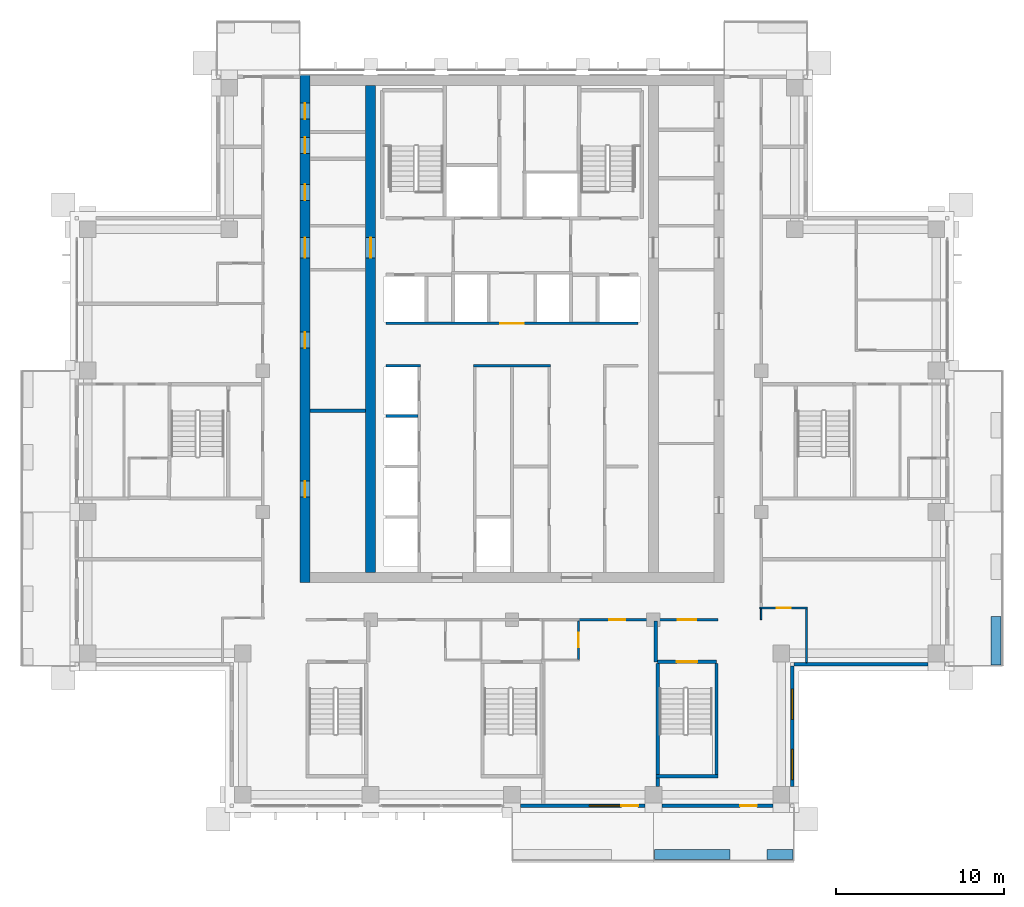
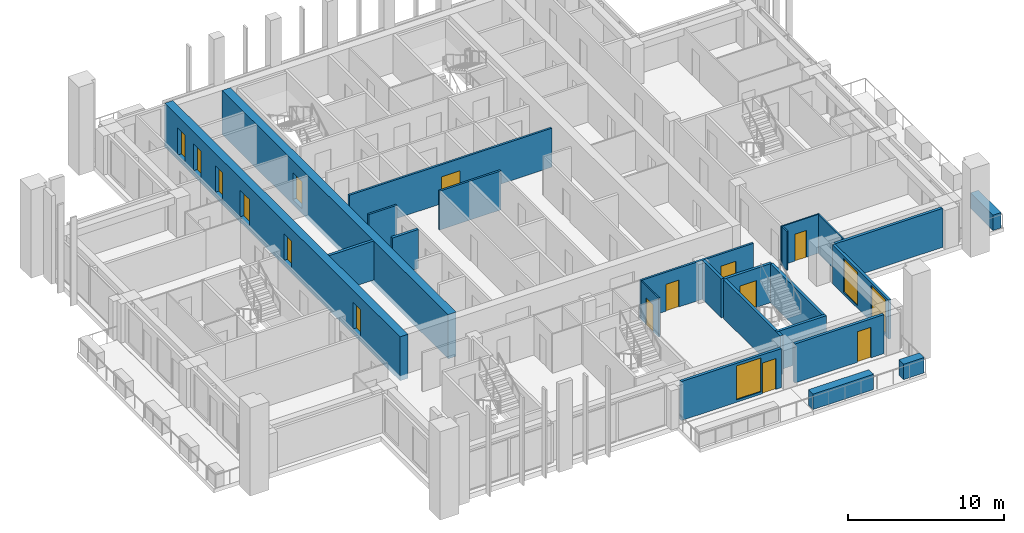
# One storey, part 10 of 18: 24 walls, 15 doors, 3 windows, 18 openings.
"""IFC4 building model written with IfcOpenShell, lengths in metres."""

from ifc_helpers import new_model, si_unit, direction, frame, frame_2d, origin, place, context, subcontext, project, spatial, rectangle, extrude, material, layer, layer_set, type_object, element, fill, save


model = new_model("IFC4")

# Units and contexts
model_context = context("Model", 3, precision=1e-05, world=origin(), true_north=direction((0.0, 1.0)))
body_context = subcontext(model_context, "Body", "Model", "MODEL_VIEW")
ifc_project = project(units=[si_unit("LENGTHUNIT", "METRE"), si_unit("AREAUNIT", "SQUARE_METRE"), si_unit("VOLUMEUNIT", "CUBIC_METRE"), si_unit("PLANEANGLEUNIT", "RADIAN"), si_unit("MASSUNIT", "GRAM", prefix="KILO")], contexts=[model_context])

# Site, building, storey
site_placement = place(None, origin())
site = spatial("IfcSite", under=ifc_project, at=site_placement, CompositionType="ELEMENT")
building_placement = place(site_placement, origin())
building = spatial("IfcBuilding", under=site, at=building_placement, Name="Vermilion Ogive Tower", CompositionType="ELEMENT")
storey_placement = place(building_placement, frame((0.0, 0.0, 199.699951171875)))
storey = spatial("IfcBuildingStorey", under=building, at=storey_placement, Name="L52", CompositionType="ELEMENT", Elevation=199.699951171875)

# Wall, openings, doors
ifc_material_1 = material(Name="Concrete B60", Category="concrete")
ifc_layer_1 = layer(ifc_material_1, 0.60009765625)
ifc_layer_set_1 = layer_set([ifc_layer_1], Name="Core wall 600 B60")
wall_type_1 = type_object("IfcWallType", Name="Core wall 600 B60", PredefinedType="SHEAR", material=ifc_layer_set_1)
wall_1_placement = place(storey_placement, frame((-12.300048828125, -8.39990234375, -0.39990234375), z_axis=(0.0, 0.0, 1.0), x_axis=(0.0, 1.0, 0.0)))
wall_1 = element("IfcWall", 1, at=wall_1_placement, inside=storey, type_object=wall_type_1, Name="L52-CORE-W", PredefinedType="SHEAR", context=body_context, shape_type="SweptSolid", body=[
    extrude(rectangle(XDim=30.14990234375, YDim=0.60009765625, at=frame_2d((15.074951171875, 0.0))), origin(), (0.0, 0.0, 1.0), 3.449951171875),
])
opening_1_placement = place(wall_1_placement, frame((5.0830078125, 0.0, 0.39990234375)))
opening_1 = element("IfcOpeningElement", 2, at=opening_1_placement, cuts=wall_1, Name="Opening DAD084", PredefinedType="OPENING", context=body_context, shape_type="SweptSolid", body=[
    extrude(rectangle(XDim=0.949951171875, YDim=2.10009765625, at=frame_2d((0.47509765625, 1.050048828125))), frame((0.0, 0.31005859375, 0.0), z_axis=(0.0, -1.0, 0.0), x_axis=(1.0, 0.0, 0.0)), (0.0, 0.0, 1.0), 0.6201171875),
])
opening_2_placement = place(wall_1_placement, frame((13.932861328125, 0.0, 0.39990234375)))
opening_2 = element("IfcOpeningElement", 3, at=opening_2_placement, cuts=wall_1, Name="Opening DAD085", PredefinedType="OPENING", context=body_context, shape_type="SweptSolid", body=[
    extrude(rectangle(XDim=0.949951171875, YDim=2.10009765625, at=frame_2d((0.47509765625, 1.050048828125))), frame((0.0, 0.31005859375, 0.0), z_axis=(0.0, -1.0, 0.0), x_axis=(1.0, 0.0, 0.0)), (0.0, 0.0, 1.0), 0.6201171875),
])
opening_3_placement = place(wall_1_placement, frame((22.718994140625, 0.0, 0.39990234375)))
opening_3 = element("IfcOpeningElement", 4, at=opening_3_placement, cuts=wall_1, Name="Opening DAD086", PredefinedType="OPENING", context=body_context, shape_type="SweptSolid", body=[
    extrude(rectangle(XDim=0.949951171875, YDim=2.10009765625, at=frame_2d((0.47509765625, 1.050048828125))), frame((0.0, 0.31005859375, 0.0), z_axis=(0.0, -1.0, 0.0), x_axis=(1.0, 0.0, 0.0)), (0.0, 0.0, 1.0), 0.6201171875),
])
opening_4_placement = place(wall_1_placement, frame((25.505615234375, 0.0, 0.39990234375)))
opening_4 = element("IfcOpeningElement", 5, at=opening_4_placement, cuts=wall_1, Name="Opening DAD087", PredefinedType="OPENING", context=body_context, shape_type="SweptSolid", body=[
    extrude(rectangle(XDim=0.949951171875, YDim=2.10009765625, at=frame_2d((0.47509765625, 1.050048828125))), frame((0.0, 0.31005859375, 0.0), z_axis=(0.0, -1.0, 0.0), x_axis=(1.0, 0.0, 0.0)), (0.0, 0.0, 1.0), 0.6201171875),
])
opening_5_placement = place(wall_1_placement, frame((27.53662109375, 0.0, 0.39990234375)))
opening_5 = element("IfcOpeningElement", 6, at=opening_5_placement, cuts=wall_1, Name="Opening DAD088", PredefinedType="OPENING", context=body_context, shape_type="SweptSolid", body=[
    extrude(rectangle(XDim=0.949951171875, YDim=2.10009765625, at=frame_2d((0.47509765625, 1.050048828125))), frame((0.0, 0.31005859375, 0.0), z_axis=(0.0, -1.0, 0.0), x_axis=(1.0, 0.0, 0.0)), (0.0, 0.0, 1.0), 0.6201171875),
])
opening_6_placement = place(wall_1_placement, frame((19.300048828125, 0.0, 0.39990234375)))
opening_6 = element("IfcOpeningElement", 7, at=opening_6_placement, cuts=wall_1, Name="Opening DAM021", PredefinedType="OPENING", context=body_context, shape_type="SweptSolid", body=[
    extrude(rectangle(XDim=1.199951171875, YDim=2.10009765625, at=frame_2d((0.60009765625, 1.050048828125))), frame((0.0, 0.31005859375, 0.0), z_axis=(0.0, -1.0, 0.0), x_axis=(1.0, 0.0, 0.0)), (0.0, 0.0, 1.0), 0.6201171875),
])
ifc_material_2 = material(Name="Timber door leaf", Category="wood")
door_type_1 = type_object("IfcDoorType", Name="Link door 1200 x 2100 FD60S", OperationType="SINGLE_SWING_LEFT", PredefinedType="DOOR", material=ifc_material_2)
door_1_placement = place(opening_6_placement, origin())
door_1 = element("IfcDoor", 8, at=door_1_placement, inside=storey, type_object=door_type_1, Name="L52-CKW-XL", OperationType="SINGLE_SWING_LEFT", OverallHeight=2.10009765625, OverallWidth=1.199951171875, PredefinedType="DOOR", context=body_context, shape_type="SweptSolid", body=[
    extrude(rectangle(XDim=1.199951171875, YDim=2.10009765625, at=frame_2d((0.60009765625, 1.050048828125))), frame((0.0, 0.02490234375, 0.0), z_axis=(0.0, -1.0, 0.0), x_axis=(1.0, 0.0, 0.0)), (0.0, 0.0, 1.0), 0.050048828125),
])
fill(opening_6, door_1)
ifc_material_3 = material(Name="Timber door leaf", Category="wood")
door_type_2 = type_object("IfcDoorType", Name="Service door 950 x 2100 FD60", OperationType="SINGLE_SWING_LEFT", PredefinedType="DOOR", material=ifc_material_3)
door_2_placement = place(opening_1_placement, origin())
door_2 = element("IfcDoor", 9, at=door_2_placement, inside=storey, type_object=door_type_2, Name="L52-CKW-XR0", OperationType="SINGLE_SWING_LEFT", OverallHeight=2.10009765625, OverallWidth=0.949951171875, PredefinedType="DOOR", context=body_context, shape_type="SweptSolid", body=[
    extrude(rectangle(XDim=0.949951171875, YDim=2.10009765625, at=frame_2d((0.47509765625, 1.050048828125))), frame((0.0, 0.02490234375, 0.0), z_axis=(0.0, -1.0, 0.0), x_axis=(1.0, 0.0, 0.0)), (0.0, 0.0, 1.0), 0.050048828125),
])
fill(opening_1, door_2)
door_3_placement = place(opening_2_placement, origin())
door_3 = element("IfcDoor", 10, at=door_3_placement, inside=storey, type_object=door_type_2, Name="L52-CKW-XR1", OperationType="SINGLE_SWING_LEFT", OverallHeight=2.10009765625, OverallWidth=0.949951171875, PredefinedType="DOOR", context=body_context, shape_type="SweptSolid", body=[
    extrude(rectangle(XDim=0.949951171875, YDim=2.10009765625, at=frame_2d((0.47509765625, 1.050048828125))), frame((0.0, 0.02490234375, 0.0), z_axis=(0.0, -1.0, 0.0), x_axis=(1.0, 0.0, 0.0)), (0.0, 0.0, 1.0), 0.050048828125),
])
fill(opening_2, door_3)
door_4_placement = place(opening_3_placement, origin())
door_4 = element("IfcDoor", 11, at=door_4_placement, inside=storey, type_object=door_type_2, Name="L52-CKW-XR2", OperationType="SINGLE_SWING_LEFT", OverallHeight=2.10009765625, OverallWidth=0.949951171875, PredefinedType="DOOR", context=body_context, shape_type="SweptSolid", body=[
    extrude(rectangle(XDim=0.949951171875, YDim=2.10009765625, at=frame_2d((0.47509765625, 1.050048828125))), frame((0.0, 0.02490234375, 0.0), z_axis=(0.0, -1.0, 0.0), x_axis=(1.0, 0.0, 0.0)), (0.0, 0.0, 1.0), 0.050048828125),
])
fill(opening_3, door_4)
door_5_placement = place(opening_4_placement, origin())
door_5 = element("IfcDoor", 12, at=door_5_placement, inside=storey, type_object=door_type_2, Name="L52-CKW-XR3", OperationType="SINGLE_SWING_LEFT", OverallHeight=2.10009765625, OverallWidth=0.949951171875, PredefinedType="DOOR", context=body_context, shape_type="SweptSolid", body=[
    extrude(rectangle(XDim=0.949951171875, YDim=2.10009765625, at=frame_2d((0.47509765625, 1.050048828125))), frame((0.0, 0.02490234375, 0.0), z_axis=(0.0, -1.0, 0.0), x_axis=(1.0, 0.0, 0.0)), (0.0, 0.0, 1.0), 0.050048828125),
])
fill(opening_4, door_5)
door_6_placement = place(opening_5_placement, origin())
door_6 = element("IfcDoor", 13, at=door_6_placement, inside=storey, type_object=door_type_2, Name="L52-CKW-XR4", OperationType="SINGLE_SWING_LEFT", OverallHeight=2.10009765625, OverallWidth=0.949951171875, PredefinedType="DOOR", context=body_context, shape_type="SweptSolid", body=[
    extrude(rectangle(XDim=0.949951171875, YDim=2.10009765625, at=frame_2d((0.47509765625, 1.050048828125))), frame((0.0, 0.02490234375, 0.0), z_axis=(0.0, -1.0, 0.0), x_axis=(1.0, 0.0, 0.0)), (0.0, 0.0, 1.0), 0.050048828125),
])
fill(opening_5, door_6)

# Wall, opening, door
wall_2_placement = place(storey_placement, frame((-8.39990234375, -7.800048828125, -0.39990234375), z_axis=(0.0, 0.0, 1.0), x_axis=(0.0, 1.0, 0.0)))
wall_2 = element("IfcWall", 14, at=wall_2_placement, inside=storey, type_object=wall_type_1, Name="L52-CORE-WEB1", PredefinedType="SHEAR", context=body_context, shape_type="SweptSolid", body=[
    extrude(rectangle(XDim=28.949951171875, YDim=0.60009765625, at=frame_2d((14.47509765625, 0.0))), origin(), (0.0, 0.0, 1.0), 3.449951171875),
])
opening_7_placement = place(wall_2_placement, frame((18.699951171875, 0.0, 0.39990234375)))
opening_7 = element("IfcOpeningElement", 15, at=opening_7_placement, cuts=wall_2, Name="Opening DAP016", PredefinedType="OPENING", context=body_context, shape_type="SweptSolid", body=[
    extrude(rectangle(XDim=1.199951171875, YDim=2.10009765625, at=frame_2d((0.60009765625, 1.050048828125))), frame((0.0, 0.31005859375, 0.0), z_axis=(0.0, -1.0, 0.0), x_axis=(1.0, 0.0, 0.0)), (0.0, 0.0, 1.0), 0.6201171875),
])
door_7_placement = place(opening_7_placement, origin())
door_7 = element("IfcDoor", 16, at=door_7_placement, inside=storey, type_object=door_type_1, Name="L52-CKW-XW", OperationType="SINGLE_SWING_LEFT", OverallHeight=2.10009765625, OverallWidth=1.199951171875, PredefinedType="DOOR", context=body_context, shape_type="SweptSolid", body=[
    extrude(rectangle(XDim=1.199951171875, YDim=2.10009765625, at=frame_2d((0.60009765625, 1.050048828125))), frame((0.0, 0.02490234375, 0.0), z_axis=(0.0, -1.0, 0.0), x_axis=(1.0, 0.0, 0.0)), (0.0, 0.0, 1.0), 0.050048828125),
])
fill(opening_7, door_7)

ifc_material_4 = material(Name="Gypsum board partition on steel studs", Category="steel")
ifc_layer_2 = layer(ifc_material_4, 0.10009765625)
ifc_layer_set_2 = layer_set([ifc_layer_2], Name="Partition 100 bath")
wall_type_2 = type_object("IfcWallType", Name="Partition 100 bath", PredefinedType="PARTITIONING", material=ifc_layer_set_2)
wall_3_placement = place(storey_placement, frame((14.72509765625, -9.89990234375, 0.0), z_axis=(0.0, 0.0, 1.0), x_axis=(1.0, 0.0, 0.0)))
wall_3 = element("IfcWall", 17, at=wall_3_placement, inside=storey, type_object=wall_type_2, Name="L52-W-W013", PredefinedType="PARTITIONING", context=body_context, shape_type="SweptSolid", body=[
    extrude(rectangle(XDim=2.824951171875, YDim=0.10009765625, at=frame_2d((1.41259765625, 0.0))), origin(), (0.0, 0.0, 1.0), 3.050048828125),
])
opening_8_placement = place(wall_3_placement, frame((1.0, 0.0, 0.0)))
opening_8 = element("IfcOpeningElement", 18, at=opening_8_placement, cuts=wall_3, Name="Opening D4G4016", PredefinedType="OPENING", context=body_context, shape_type="SweptSolid", body=[
    extrude(rectangle(XDim=0.85009765625, YDim=2.10009765625, at=frame_2d((0.425048828125, 1.050048828125))), frame((0.0, 0.06005859375, 0.0), z_axis=(0.0, -1.0, 0.0), x_axis=(1.0, 0.0, 0.0)), (0.0, 0.0, 1.0), 0.1201171875),
])
ifc_material_5 = material(Name="Timber door leaf", Category="wood")
door_type_3 = type_object("IfcDoorType", Name="Bath door 850 x 2100 FD30", OperationType="SINGLE_SWING_LEFT", PredefinedType="DOOR", material=ifc_material_5)
door_8_placement = place(opening_8_placement, origin())
door_8 = element("IfcDoor", 19, at=door_8_placement, inside=storey, type_object=door_type_3, Name="L52-D-D016", OperationType="SINGLE_SWING_RIGHT", OverallHeight=2.10009765625, OverallWidth=0.85009765625, PredefinedType="DOOR", context=body_context, shape_type="SweptSolid", body=[
    extrude(rectangle(XDim=0.85009765625, YDim=2.10009765625, at=frame_2d((0.425048828125, 1.050048828125))), frame((0.0, 0.02490234375, 0.0), z_axis=(0.0, -1.0, 0.0), x_axis=(1.0, 0.0, 0.0)), (0.0, 0.0, 1.0), 0.050048828125),
])
fill(opening_8, door_8)

wall_4_placement = place(storey_placement, frame((3.949951171875, -12.949951171875, 0.0), z_axis=(0.0, 0.0, 1.0), x_axis=(0.0, 1.0, 0.0)))
wall_4 = element("IfcWall", 20, at=wall_4_placement, inside=storey, type_object=wall_type_2, Name="L52-W-W053", PredefinedType="PARTITIONING", context=body_context, shape_type="SweptSolid", body=[
    extrude(rectangle(XDim=2.27490234375, YDim=0.10009765625, at=frame_2d((1.137451171875, 0.0))), origin(), (0.0, 0.0, 1.0), 3.050048828125),
])
opening_9_placement = place(wall_4_placement, frame((0.724853515625, 0.0, 0.0)))
opening_9 = element("IfcOpeningElement", 21, at=opening_9_placement, cuts=wall_4, Name="Opening D4G4014", PredefinedType="OPENING", context=body_context, shape_type="SweptSolid", body=[
    extrude(rectangle(XDim=0.85009765625, YDim=2.10009765625, at=frame_2d((0.425048828125, 1.050048828125))), frame((0.0, 0.06005859375, 0.0), z_axis=(0.0, -1.0, 0.0), x_axis=(1.0, 0.0, 0.0)), (0.0, 0.0, 1.0), 0.1201171875),
])
door_9_placement = place(opening_9_placement, origin())
door_9 = element("IfcDoor", 22, at=door_9_placement, inside=storey, type_object=door_type_3, Name="L52-D-D014", OperationType="SINGLE_SWING_LEFT", OverallHeight=2.10009765625, OverallWidth=0.85009765625, PredefinedType="DOOR", context=body_context, shape_type="SweptSolid", body=[
    extrude(rectangle(XDim=0.85009765625, YDim=2.10009765625, at=frame_2d((0.425048828125, 1.050048828125))), frame((0.0, 0.02490234375, 0.0), z_axis=(0.0, -1.0, 0.0), x_axis=(1.0, 0.0, 0.0)), (0.0, 0.0, 1.0), 0.050048828125),
])
fill(opening_9, door_9)

# Walls
wall_5_placement = place(storey_placement, frame((14.800048828125, -10.60009765625, 0.0), z_axis=(0.0, 0.0, 1.0), x_axis=(0.0, 1.0, 0.0)))
element("IfcWall", 23, at=wall_5_placement, inside=storey, type_object=wall_type_2, Name="L52-W-W055", PredefinedType="PARTITIONING", context=body_context, shape_type="SweptSolid", body=[
    extrude(rectangle(XDim=0.650146484375, YDim=0.10009765625, at=frame_2d((0.3251953125, 0.0))), origin(), (0.0, 0.0, 1.0), 3.050048828125),
])
wall_6_placement = place(storey_placement, frame((17.5, -13.14990234375, 0.0), z_axis=(0.0, 0.0, 1.0), x_axis=(0.0, 1.0, 0.0)))
element("IfcWall", 24, at=wall_6_placement, inside=storey, type_object=wall_type_2, Name="L52-W-W058", PredefinedType="PARTITIONING", context=body_context, shape_type="SweptSolid", body=[
    extrude(rectangle(XDim=3.199951171875, YDim=0.10009765625, at=frame_2d((1.60009765625, 0.0))), origin(), (0.0, 0.0, 1.0), 3.050048828125),
])

# Wall, openings, doors
ifc_material_6 = material(Name="Gypsum board partition on steel studs", Category="steel")
ifc_layer_3 = layer(ifc_material_6, 0.14990234375)
ifc_layer_set_3 = layer_set([ifc_layer_3], Name="Partition 150 corridor")
wall_type_3 = type_object("IfcWallType", Name="Partition 150 corridor", PredefinedType="PARTITIONING", material=ifc_layer_set_3)
wall_7_placement = place(storey_placement, frame((3.89990234375, -10.60009765625, 0.0), z_axis=(0.0, 0.0, 1.0), x_axis=(1.0, 0.0, 0.0)))
wall_7 = element("IfcWall", 25, at=wall_7_placement, inside=storey, type_object=wall_type_3, Name="L52-W-W011", PredefinedType="PARTITIONING", context=body_context, shape_type="SweptSolid", body=[
    extrude(rectangle(XDim=8.35009765625, YDim=0.14990234375, at=frame_2d((4.175048828125, 0.0))), origin(), (0.0, 0.0, 1.0), 3.050048828125),
])
opening_10_placement = place(wall_7_placement, frame((1.875, 0.0, 0.0)))
opening_10 = element("IfcOpeningElement", 26, at=opening_10_placement, cuts=wall_7, Name="Opening D4G4013", PredefinedType="OPENING", context=body_context, shape_type="SweptSolid", body=[
    extrude(rectangle(XDim=0.949951171875, YDim=2.10009765625, at=frame_2d((0.47509765625, 1.050048828125))), frame((0.0, 0.0849609375, 0.0), z_axis=(0.0, -1.0, 0.0), x_axis=(1.0, 0.0, 0.0)), (0.0, 0.0, 1.0), 0.169921875),
])
opening_11_placement = place(wall_7_placement, frame((5.9501953125, 0.0, 0.0)))
opening_11 = element("IfcOpeningElement", 27, at=opening_11_placement, cuts=wall_7, Name="Opening D4G4029", PredefinedType="OPENING", context=body_context, shape_type="SweptSolid", body=[
    extrude(rectangle(XDim=1.10009765625, YDim=2.10009765625, at=frame_2d((0.550048828125, 1.050048828125))), frame((0.0, 0.0849609375, 0.0), z_axis=(0.0, -1.0, 0.0), x_axis=(1.0, 0.0, 0.0)), (0.0, 0.0, 1.0), 0.169921875),
])
ifc_material_7 = material(Name="Timber door leaf", Category="wood")
door_type_4 = type_object("IfcDoorType", Name="Stair door 1100 x 2100 FD60S", OperationType="SINGLE_SWING_LEFT", PredefinedType="DOOR", material=ifc_material_7)
door_10_placement = place(opening_11_placement, origin())
door_10 = element("IfcDoor", 28, at=door_10_placement, inside=storey, type_object=door_type_4, Name="L52-D-D029", OperationType="SINGLE_SWING_LEFT", OverallHeight=2.10009765625, OverallWidth=1.10009765625, PredefinedType="DOOR", context=body_context, shape_type="SweptSolid", body=[
    extrude(rectangle(XDim=1.10009765625, YDim=2.10009765625, at=frame_2d((0.550048828125, 1.050048828125))), frame((0.0, 0.02490234375, 0.0), z_axis=(0.0, -1.0, 0.0), x_axis=(1.0, 0.0, 0.0)), (0.0, 0.0, 1.0), 0.050048828125),
])
fill(opening_11, door_10)
ifc_material_8 = material(Name="Timber door leaf", Category="wood")
door_type_5 = type_object("IfcDoorType", Name="Unit door 950 x 2100 FD30S", OperationType="SINGLE_SWING_LEFT", PredefinedType="DOOR", material=ifc_material_8)
door_11_placement = place(opening_10_placement, origin())
door_11 = element("IfcDoor", 29, at=door_11_placement, inside=storey, type_object=door_type_5, Name="L52-D-D013", OperationType="SINGLE_SWING_LEFT", OverallHeight=2.10009765625, OverallWidth=0.949951171875, PredefinedType="DOOR", context=body_context, shape_type="SweptSolid", body=[
    extrude(rectangle(XDim=0.949951171875, YDim=2.10009765625, at=frame_2d((0.47509765625, 1.050048828125))), frame((0.0, 0.02490234375, 0.0), z_axis=(0.0, -1.0, 0.0), x_axis=(1.0, 0.0, 0.0)), (0.0, 0.0, 1.0), 0.050048828125),
])
fill(opening_10, door_11)

# Walls
wall_8_placement = place(storey_placement, frame((-7.5, 4.5, 0.0), z_axis=(0.0, 0.0, 1.0), x_axis=(1.0, 0.0, 0.0)))
element("IfcWall", 30, at=wall_8_placement, inside=storey, type_object=wall_type_3, Name="L52-CK-W-W007", PredefinedType="PARTITIONING", context=body_context, shape_type="SweptSolid", body=[
    extrude(rectangle(XDim=2.074951171875, YDim=0.14990234375, at=frame_2d((1.03759765625, 0.0))), origin(), (0.0, 0.0, 1.0), 3.050048828125),
])
wall_9_placement = place(storey_placement, frame((-2.27490234375, 4.5, 0.0), z_axis=(0.0, 0.0, 1.0), x_axis=(1.0, 0.0, 0.0)))
element("IfcWall", 31, at=wall_9_placement, inside=storey, type_object=wall_type_3, Name="L52-CK-W-W008", PredefinedType="PARTITIONING", context=body_context, shape_type="SweptSolid", body=[
    extrude(rectangle(XDim=4.5498046875, YDim=0.14990234375, at=frame_2d((2.27490234375, 0.0))), origin(), (0.0, 0.0, 1.0), 3.050048828125),
])

# Wall, opening, door
wall_10_placement = place(storey_placement, frame((-7.5, 7.0, 0.0), z_axis=(0.0, 0.0, 1.0), x_axis=(1.0, 0.0, 0.0)))
wall_10 = element("IfcWall", 32, at=wall_10_placement, inside=storey, type_object=wall_type_3, Name="L52-CK-W-W010", PredefinedType="PARTITIONING", context=body_context, shape_type="SweptSolid", body=[
    extrude(rectangle(XDim=15.0, YDim=0.14990234375, at=frame_2d((7.5, 0.0))), origin(), (0.0, 0.0, 1.0), 3.050048828125),
])
opening_12_placement = place(wall_10_placement, frame((6.800048828125, 0.0, 0.0)))
opening_12 = element("IfcOpeningElement", 33, at=opening_12_placement, cuts=wall_10, Name="Opening DAA469", PredefinedType="OPENING", context=body_context, shape_type="SweptSolid", body=[
    extrude(rectangle(XDim=1.39990234375, YDim=2.10009765625, at=frame_2d((0.699951171875, 1.050048828125))), frame((0.0, 0.0849609375, 0.0), z_axis=(0.0, -1.0, 0.0), x_axis=(1.0, 0.0, 0.0)), (0.0, 0.0, 1.0), 0.169921875),
])
ifc_material_9 = material(Name="Timber door leaf", Category="wood")
door_type_6 = type_object("IfcDoorType", Name="Lobby door 1400 x 2100 FD60S", OperationType="SINGLE_SWING_LEFT", PredefinedType="DOOR", material=ifc_material_9)
door_12_placement = place(opening_12_placement, origin())
door_12 = element("IfcDoor", 34, at=door_12_placement, inside=storey, type_object=door_type_6, Name="L52-CK-D-D015", OperationType="SINGLE_SWING_RIGHT", OverallHeight=2.10009765625, OverallWidth=1.39990234375, PredefinedType="DOOR", context=body_context, shape_type="SweptSolid", body=[
    extrude(rectangle(XDim=1.39990234375, YDim=2.10009765625, at=frame_2d((0.699951171875, 1.050048828125))), frame((0.0, 0.02490234375, 0.0), z_axis=(0.0, -1.0, 0.0), x_axis=(1.0, 0.0, 0.0)), (0.0, 0.0, 1.0), 0.050048828125),
])
fill(opening_12, door_12)

# Walls
ifc_material_10 = material(Name="Gypsum board partition on steel studs", Category="steel")
ifc_layer_4 = layer(ifc_material_10, 0.199951171875)
ifc_layer_set_4 = layer_set([ifc_layer_4], Name="Partition 200 party")
wall_type_4 = type_object("IfcWallType", Name="Partition 200 party", PredefinedType="PARTITIONING", material=ifc_layer_set_4)
wall_11_placement = place(storey_placement, frame((8.550048828125, -13.10009765625, 0.0), z_axis=(0.0, 0.0, 1.0), x_axis=(0.0, 1.0, 0.0)))
element("IfcWall", 35, at=wall_11_placement, inside=storey, type_object=wall_type_4, Name="L52-W-W054", PredefinedType="PARTITIONING", context=body_context, shape_type="SweptSolid", body=[
    extrude(rectangle(XDim=2.425048828125, YDim=0.199951171875, at=frame_2d((1.21240234375, 0.0))), origin(), (0.0, 0.0, 1.0), 3.050048828125),
])
wall_12_placement = place(storey_placement, frame((-7.5, 1.5, 0.0), z_axis=(0.0, 0.0, 1.0), x_axis=(1.0, 0.0, 0.0)))
element("IfcWall", 36, at=wall_12_placement, inside=storey, type_object=wall_type_4, Name="L52-CK-W-W006", PredefinedType="PARTITIONING", context=body_context, shape_type="SweptSolid", body=[
    extrude(rectangle(XDim=1.925048828125, YDim=0.199951171875, at=frame_2d((0.96240234375, 0.0))), origin(), (0.0, 0.0, 1.0), 3.050048828125),
])
wall_13_placement = place(storey_placement, frame((-11.9990234375, 1.81591796875, 0.0), z_axis=(0.0, 0.0, 1.0), x_axis=(1.0, 0.0, 0.0)))
element("IfcWall", 37, at=wall_13_placement, inside=storey, type_object=wall_type_4, Name="L52-CKW-W-W001", PredefinedType="PARTITIONING", context=body_context, shape_type="SweptSolid", body=[
    extrude(rectangle(XDim=3.298095703125, YDim=0.199951171875, at=frame_2d((1.64892578125, 0.0))), origin(), (0.0, 0.0, 1.0), 3.050048828125),
])

# Wall, opening, door
ifc_material_11 = material(Name="Concrete B60", Category="concrete")
ifc_layer_5 = layer(ifc_material_11, 0.199951171875)
ifc_layer_set_5 = layer_set([ifc_layer_5], Name="Stair shaft wall 200 Concrete B60")
wall_type_5 = type_object("IfcWallType", Name="Stair shaft wall 200 Concrete B60", PredefinedType="SOLIDWALL", material=ifc_layer_set_5)
wall_14_placement = place(storey_placement, frame((8.64990234375, -13.10009765625, 0.0), z_axis=(0.0, 0.0, 1.0), x_axis=(1.0, 0.0, 0.0)))
wall_14 = element("IfcWall", 38, at=wall_14_placement, inside=storey, type_object=wall_type_5, Name="L52-W-W004", PredefinedType="SOLIDWALL", context=body_context, shape_type="SweptSolid", body=[
    extrude(rectangle(XDim=3.5, YDim=0.199951171875, at=frame_2d((1.75, 0.0))), origin(), (0.0, 0.0, 1.0), 3.050048828125),
])
opening_13_placement = place(wall_14_placement, frame((1.150146484375, 0.0, 0.0)))
opening_13 = element("IfcOpeningElement", 39, at=opening_13_placement, cuts=wall_14, Name="Opening D4G4030", PredefinedType="OPENING", context=body_context, shape_type="SweptSolid", body=[
    extrude(rectangle(XDim=1.199951171875, YDim=2.10009765625, at=frame_2d((0.60009765625, 1.050048828125))), frame((0.0, 0.10986328125, 0.0), z_axis=(0.0, -1.0, 0.0), x_axis=(1.0, 0.0, 0.0)), (0.0, 0.0, 1.0), 0.219970703125),
])
ifc_material_12 = material(Name="Timber door leaf", Category="wood")
door_type_7 = type_object("IfcDoorType", Name="Stair door 1200 x 2100 FD60S", OperationType="SINGLE_SWING_LEFT", PredefinedType="DOOR", material=ifc_material_12)
door_13_placement = place(opening_13_placement, origin())
door_13 = element("IfcDoor", 40, at=door_13_placement, inside=storey, type_object=door_type_7, Name="L52-D-D030", OperationType="SINGLE_SWING_RIGHT", OverallHeight=2.10009765625, OverallWidth=1.199951171875, PredefinedType="DOOR", context=body_context, shape_type="SweptSolid", body=[
    extrude(rectangle(XDim=1.199951171875, YDim=2.10009765625, at=frame_2d((0.60009765625, 1.050048828125))), frame((0.0, 0.02490234375, 0.0), z_axis=(0.0, -1.0, 0.0), x_axis=(1.0, 0.0, 0.0)), (0.0, 0.0, 1.0), 0.050048828125),
])
fill(opening_13, door_13)

# Walls
wall_15_placement = place(storey_placement, frame((8.550048828125, -19.89990234375, 0.0), z_axis=(0.0, 0.0, 1.0), x_axis=(1.0, 0.0, 0.0)))
element("IfcWall", 41, at=wall_15_placement, inside=storey, type_object=wall_type_5, Name="L52-SW-ST5-S1", PredefinedType="SOLIDWALL", context=body_context, shape_type="SweptSolid", body=[
    extrude(rectangle(XDim=3.699951171875, YDim=0.199951171875, at=frame_2d((1.85009765625, 0.0))), origin(), (0.0, 0.0, 1.0), 3.050048828125),
])
wall_16_placement = place(storey_placement, frame((8.64990234375, -20.5, 0.0), z_axis=(0.0, 0.0, 1.0), x_axis=(0.0, 1.0, 0.0)))
element("IfcWall", 42, at=wall_16_placement, inside=storey, type_object=wall_type_5, Name="L52-SW-ST5-W1", PredefinedType="SOLIDWALL", context=body_context, shape_type="SweptSolid", body=[
    extrude(rectangle(XDim=7.300048828125, YDim=0.199951171875, at=frame_2d((3.64990234375, 0.0))), origin(), (0.0, 0.0, 1.0), 3.050048828125),
])
wall_17_placement = place(storey_placement, frame((12.14990234375, -19.800048828125, 0.0), z_axis=(0.0, 0.0, 1.0), x_axis=(0.0, 1.0, 0.0)))
element("IfcWall", 43, at=wall_17_placement, inside=storey, type_object=wall_type_5, Name="L52-SW-ST5-E1", PredefinedType="SOLIDWALL", context=body_context, shape_type="SweptSolid", body=[
    extrude(rectangle(XDim=6.60009765625, YDim=0.199951171875, at=frame_2d((3.300048828125, 0.0))), origin(), (0.0, 0.0, 1.0), 3.050048828125),
])
ifc_material_13 = material(Name="Concrete B40", Category="concrete")
ifc_layer_6 = layer(ifc_material_13, 0.60009765625)
ifc_layer_set_6 = layer_set([ifc_layer_6], Name="Structural planter")
wall_type_6 = type_object("IfcWallType", Name="Structural planter", PredefinedType="USERDEFINED", material=ifc_layer_set_6)
wall_18_placement = place(storey_placement, frame((8.4599609375, -24.550048828125, -0.0400390625), z_axis=(0.0, 0.0, 1.0), x_axis=(1.0, 0.0, 0.0)))
element("IfcWall", 44, at=wall_18_placement, inside=storey, type_object=wall_type_6, Name="Planter S04A1", ObjectType="PLANTER", PredefinedType="USERDEFINED", context=body_context, shape_type="SweptSolid", body=[
    extrude(rectangle(XDim=4.489990234375, YDim=0.60009765625, at=frame_2d((2.2451171875, 0.0))), origin(), (0.0, 0.0, 1.0), 1.2001953125),
])
wall_19_placement = place(storey_placement, frame((15.14990234375, -24.550048828125, -0.0400390625), z_axis=(0.0, 0.0, 1.0), x_axis=(1.0, 0.0, 0.0)))
element("IfcWall", 45, at=wall_19_placement, inside=storey, type_object=wall_type_6, Name="Planter S04A2", ObjectType="PLANTER", PredefinedType="USERDEFINED", context=body_context, shape_type="SweptSolid", body=[
    extrude(rectangle(XDim=1.5400390625, YDim=0.60009765625, at=frame_2d((0.77001953125, 0.0))), origin(), (0.0, 0.0, 1.0), 1.2001953125),
])
wall_20_placement = place(storey_placement, frame((28.75, -13.2900390625, -0.0400390625), z_axis=(0.0, 0.0, 1.0), x_axis=(0.0, 1.0, 0.0)))
element("IfcWall", 46, at=wall_20_placement, inside=storey, type_object=wall_type_6, Name="Planter E01A1", ObjectType="PLANTER", PredefinedType="USERDEFINED", context=body_context, shape_type="SweptSolid", body=[
    extrude(rectangle(XDim=2.89013671875, YDim=0.60009765625, at=frame_2d((1.445068359375, 0.0))), origin(), (0.0, 0.0, 1.0), 1.2001953125),
])

# Wall, openings, door, window
ifc_material_14 = material(Name="Aluminium window wall framing", Category="aluminium")
ifc_layer_7 = layer(ifc_material_14, 0.199951171875)
ifc_layer_set_7 = layer_set([ifc_layer_7], Name="Window wall")
wall_type_7 = type_object("IfcWallType", Name="Window wall", PredefinedType="STANDARD", material=ifc_layer_set_7)
wall_21_placement = place(storey_placement, frame((0.5, -21.64990234375, 0.0), z_axis=(0.0, 0.0, 1.0), x_axis=(1.0, 0.0, 0.0)))
wall_21 = element("IfcWall", 47, at=wall_21_placement, inside=storey, type_object=wall_type_7, Name="Window wall S3", PredefinedType="STANDARD", context=body_context, shape_type="SweptSolid", body=[
    extrude(rectangle(XDim=7.39990234375, YDim=0.199951171875, at=frame_2d((3.699951171875, 0.0))), origin(), (0.0, 0.0, 1.0), 3.050048828125),
])
opening_14_placement = place(wall_21_placement, frame((4.10009765625, 0.0, 0.199951171875)))
opening_14 = element("IfcOpeningElement", 48, at=opening_14_placement, cuts=wall_21, Name="Opening W1-S01", PredefinedType="OPENING", context=body_context, shape_type="SweptSolid", body=[
    extrude(rectangle(XDim=1.800048828125, YDim=2.64990234375, at=frame_2d((0.89990234375, 1.324951171875))), frame((0.0, 0.10986328125, 0.0), z_axis=(0.0, -1.0, 0.0), x_axis=(1.0, 0.0, 0.0)), (0.0, 0.0, 1.0), 0.219970703125),
])
opening_15_placement = place(wall_21_placement, frame((6.0, 0.0, 0.0)))
opening_15 = element("IfcOpeningElement", 49, at=opening_15_placement, cuts=wall_21, Name="Opening D1-S01", PredefinedType="OPENING", context=body_context, shape_type="SweptSolid", body=[
    extrude(rectangle(XDim=1.0, YDim=2.39990234375, at=frame_2d((0.5, 1.199951171875))), frame((0.0, 0.10986328125, 0.0), z_axis=(0.0, -1.0, 0.0), x_axis=(1.0, 0.0, 0.0)), (0.0, 0.0, 1.0), 0.219970703125),
])
ifc_material_15 = material(Name="Aluminium framed glazed door", Category="aluminium")
door_type_8 = type_object("IfcDoorType", Name="Balcony door D1", OperationType="SINGLE_SWING_LEFT", PredefinedType="DOOR", material=ifc_material_15)
door_14_placement = place(opening_15_placement, origin())
door_14 = element("IfcDoor", 50, at=door_14_placement, inside=storey, type_object=door_type_8, Name="Balcony door S01", OperationType="SINGLE_SWING_LEFT", OverallHeight=2.39990234375, OverallWidth=1.0, PredefinedType="DOOR", context=body_context, shape_type="SweptSolid", body=[
    extrude(rectangle(XDim=1.0, YDim=2.39990234375, at=frame_2d((0.5, 1.199951171875))), frame((0.0, 0.02490234375, 0.0), z_axis=(0.0, -1.0, 0.0), x_axis=(1.0, 0.0, 0.0)), (0.0, 0.0, 1.0), 0.050048828125),
])
fill(opening_15, door_14)
ifc_material_16 = material(Name="Aluminium framed double glazing", Category="aluminium")
window_type = type_object("IfcWindowType", Name="Guest window W1", PartitioningType="SINGLE_PANEL", PredefinedType="WINDOW", material=ifc_material_16)
window_1_placement = place(opening_14_placement, origin())
window_1 = element("IfcWindow", 51, at=window_1_placement, inside=storey, type_object=window_type, Name="Window S01", OverallHeight=2.64990234375, OverallWidth=1.800048828125, PartitioningType="SINGLE_PANEL", PredefinedType="WINDOW", context=body_context, shape_type="SweptSolid", body=[
    extrude(rectangle(XDim=1.800048828125, YDim=2.64990234375, at=frame_2d((0.89990234375, 1.324951171875))), frame((0.0, 0.030029296875, 0.0), z_axis=(0.0, -1.0, 0.0), x_axis=(1.0, 0.0, 0.0)), (0.0, 0.0, 1.0), 0.06005859375),
])
fill(opening_14, window_1)

# Wall, opening, door
wall_22_placement = place(storey_placement, frame((8.89990234375, -21.64990234375, 0.0), z_axis=(0.0, 0.0, 1.0), x_axis=(1.0, 0.0, 0.0)))
wall_22 = element("IfcWall", 52, at=wall_22_placement, inside=storey, type_object=wall_type_7, Name="Window wall S4", PredefinedType="STANDARD", context=body_context, shape_type="SweptSolid", body=[
    extrude(rectangle(XDim=6.60009765625, YDim=0.199951171875, at=frame_2d((3.300048828125, 0.0))), origin(), (0.0, 0.0, 1.0), 3.050048828125),
])
opening_16_placement = place(wall_22_placement, frame((4.64990234375, 0.0, 0.0)))
opening_16 = element("IfcOpeningElement", 53, at=opening_16_placement, cuts=wall_22, Name="Opening D1-S03K", PredefinedType="OPENING", context=body_context, shape_type="SweptSolid", body=[
    extrude(rectangle(XDim=1.0, YDim=2.39990234375, at=frame_2d((0.5, 1.199951171875))), frame((0.0, 0.10986328125, 0.0), z_axis=(0.0, -1.0, 0.0), x_axis=(1.0, 0.0, 0.0)), (0.0, 0.0, 1.0), 0.219970703125),
])
door_15_placement = place(opening_16_placement, origin())
door_15 = element("IfcDoor", 54, at=door_15_placement, inside=storey, type_object=door_type_8, Name="Balcony door S03K", OperationType="SINGLE_SWING_LEFT", OverallHeight=2.39990234375, OverallWidth=1.0, PredefinedType="DOOR", context=body_context, shape_type="SweptSolid", body=[
    extrude(rectangle(XDim=1.0, YDim=2.39990234375, at=frame_2d((0.5, 1.199951171875))), frame((0.0, 0.02490234375, 0.0), z_axis=(0.0, -1.0, 0.0), x_axis=(1.0, 0.0, 0.0)), (0.0, 0.0, 1.0), 0.050048828125),
])
fill(opening_16, door_15)

# Wall, openings, windows
wall_23_placement = place(storey_placement, frame((16.64990234375, -20.5, 0.0), z_axis=(0.0, 0.0, 1.0), x_axis=(0.0, 1.0, 0.0)))
wall_23 = element("IfcWall", 55, at=wall_23_placement, inside=storey, type_object=wall_type_7, Name="Window wall X11", PredefinedType="STANDARD", context=body_context, shape_type="SweptSolid", body=[
    extrude(rectangle(XDim=7.14990234375, YDim=0.199951171875, at=frame_2d((3.574951171875, 0.0))), origin(), (0.0, 0.0, 1.0), 3.050048828125),
])
opening_17_placement = place(wall_23_placement, frame((0.39990234375, 0.0, 0.199951171875)))
opening_17 = element("IfcOpeningElement", 56, at=opening_17_placement, cuts=wall_23, Name="Opening W1-X195", PredefinedType="OPENING", context=body_context, shape_type="SweptSolid", body=[
    extrude(rectangle(XDim=1.800048828125, YDim=2.64990234375, at=frame_2d((0.89990234375, 1.324951171875))), frame((0.0, 0.10986328125, 0.0), z_axis=(0.0, -1.0, 0.0), x_axis=(1.0, 0.0, 0.0)), (0.0, 0.0, 1.0), 0.219970703125),
])
opening_18_placement = place(wall_23_placement, frame((3.97509765625, 0.0, 0.199951171875)))
opening_18 = element("IfcOpeningElement", 57, at=opening_18_placement, cuts=wall_23, Name="Opening W1-X196", PredefinedType="OPENING", context=body_context, shape_type="SweptSolid", body=[
    extrude(rectangle(XDim=1.800048828125, YDim=2.64990234375, at=frame_2d((0.89990234375, 1.324951171875))), frame((0.0, 0.10986328125, 0.0), z_axis=(0.0, -1.0, 0.0), x_axis=(1.0, 0.0, 0.0)), (0.0, 0.0, 1.0), 0.219970703125),
])
window_2_placement = place(opening_17_placement, origin())
window_2 = element("IfcWindow", 58, at=window_2_placement, inside=storey, type_object=window_type, Name="Window X195", OverallHeight=2.64990234375, OverallWidth=1.800048828125, PartitioningType="SINGLE_PANEL", PredefinedType="WINDOW", context=body_context, shape_type="SweptSolid", body=[
    extrude(rectangle(XDim=1.800048828125, YDim=2.64990234375, at=frame_2d((0.89990234375, 1.324951171875))), frame((0.0, 0.030029296875, 0.0), z_axis=(0.0, -1.0, 0.0), x_axis=(1.0, 0.0, 0.0)), (0.0, 0.0, 1.0), 0.06005859375),
])
fill(opening_17, window_2)
window_3_placement = place(opening_18_placement, origin())
window_3 = element("IfcWindow", 59, at=window_3_placement, inside=storey, type_object=window_type, Name="Window X196", OverallHeight=2.64990234375, OverallWidth=1.800048828125, PartitioningType="SINGLE_PANEL", PredefinedType="WINDOW", context=body_context, shape_type="SweptSolid", body=[
    extrude(rectangle(XDim=1.800048828125, YDim=2.64990234375, at=frame_2d((0.89990234375, 1.324951171875))), frame((0.0, 0.030029296875, 0.0), z_axis=(0.0, -1.0, 0.0), x_axis=(1.0, 0.0, 0.0)), (0.0, 0.0, 1.0), 0.06005859375),
])
fill(opening_18, window_3)

# Wall
wall_24_placement = place(storey_placement, frame((16.75, -13.25, 0.0), z_axis=(0.0, 0.0, 1.0), x_axis=(1.0, 0.0, 0.0)))
element("IfcWall", 60, at=wall_24_placement, inside=storey, type_object=wall_type_7, Name="Window wall X21", PredefinedType="STANDARD", context=body_context, shape_type="SweptSolid", body=[
    extrude(rectangle(XDim=7.949951171875, YDim=0.199951171875, at=frame_2d((3.97509765625, 0.0))), origin(), (0.0, 0.0, 1.0), 3.050048828125),
])

save(model, "model.ifc")
